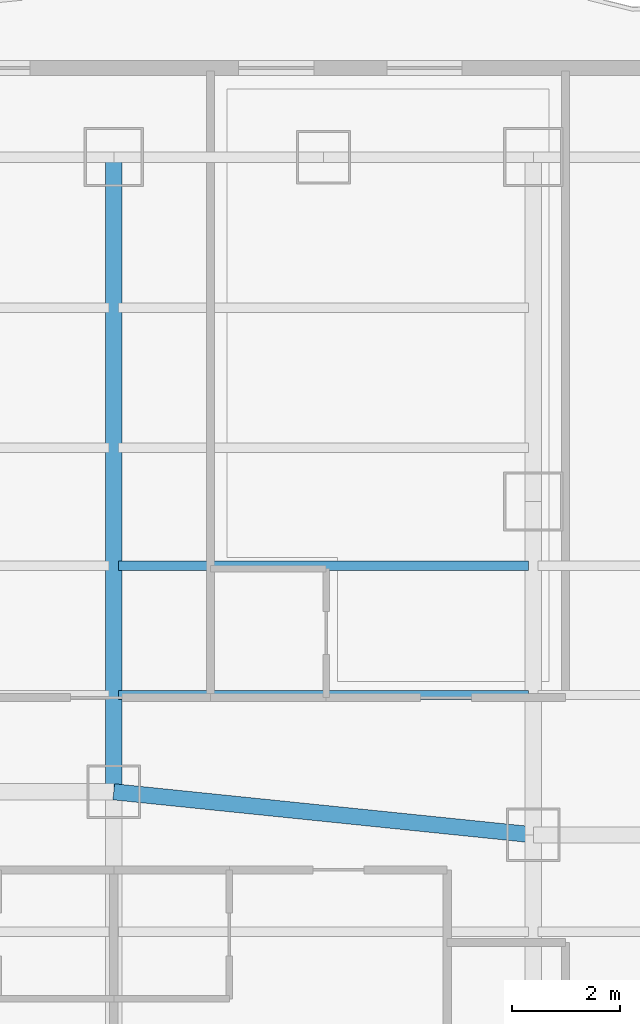
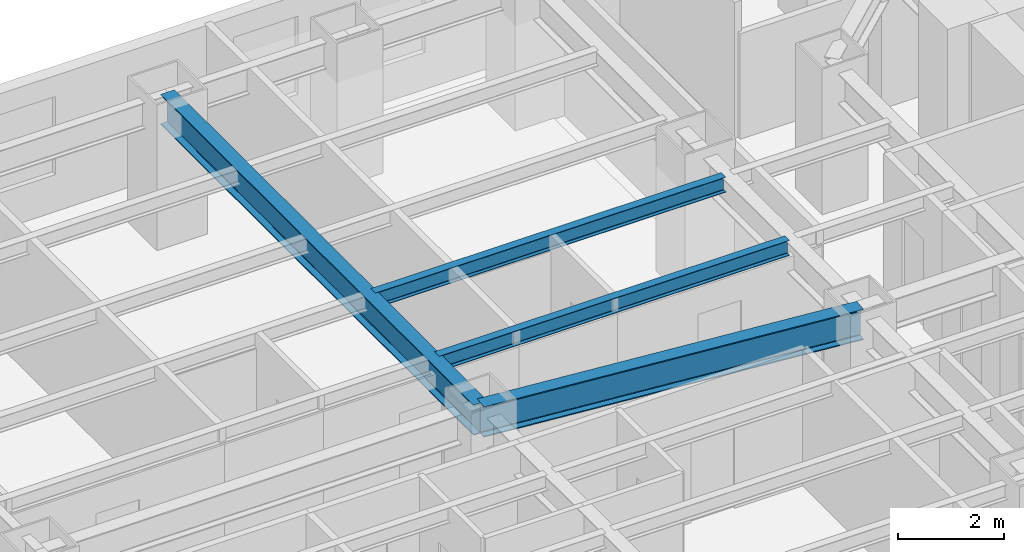
# One storey, part 15 of 37: 4 beams.
"""IFC4 building model written with IfcOpenShell, lengths in metres."""

from ifc_helpers import new_model, si_unit, direction, frame, origin, origin_2d, place, context, subcontext, project, spatial, i_section, extrude, material, material_profile, profile_set, type_object, element, save


model = new_model("IFC4")

# Units and contexts
model_context = context("Model", 3, precision=1e-05, world=origin(), true_north=direction((0.0, 1.0)))
body_context = subcontext(model_context, "Body", "Model", "MODEL_VIEW")
ifc_project = project(units=[si_unit("LENGTHUNIT", "METRE"), si_unit("AREAUNIT", "SQUARE_METRE"), si_unit("VOLUMEUNIT", "CUBIC_METRE"), si_unit("PLANEANGLEUNIT", "RADIAN"), si_unit("MASSUNIT", "GRAM", prefix="KILO")], contexts=[model_context])

# Site, building, storey
site_placement = place(None, origin())
site = spatial("IfcSite", under=ifc_project, at=site_placement, CompositionType="ELEMENT")
building_placement = place(site_placement, origin())
building = spatial("IfcBuilding", under=site, at=building_placement, Name="Hatsunagi Terrace Concourse", CompositionType="ELEMENT")
storey_placement = place(building_placement, frame((0.0, 0.0, 50.0)))
storey = spatial("IfcBuildingStorey", under=building, at=storey_placement, Name="L12", CompositionType="ELEMENT", Elevation=50.0)

# Beams
ifc_material_1 = material(Name="Steel SN490B", Category="steel")
ifc_material_profile_1 = material_profile(ifc_material_1, i_section(OverallWidth=0.300048828125, OverallDepth=0.699951171875, WebThickness=0.012939453125, FlangeThickness=0.02392578125, FilletRadius=0.02197265625, at=origin_2d()), Name="H-700x300x13x24")
ifc_profile_set_1 = profile_set([ifc_material_profile_1], Name="Steel SN490B")
beam_type_1 = type_object("IfcBeamType", Name="HotelFloorGirder_H_700x300", PredefinedType="BEAM", material=ifc_profile_set_1)
beam_1_placement = place(storey_placement, frame((11.39990234375, 36.800048828125, 2.780029296875), z_axis=(0.0, 1.0, 0.0), x_axis=(-1.0, 0.0, 0.0)))
element("IfcBeam", 1, at=beam_1_placement, inside=storey, type_object=beam_type_1, Name="Beam G-04 BM-L12-NS-11-36", PredefinedType="BEAM", context=body_context, shape_type="SweptSolid", body=[
    extrude(i_section(OverallWidth=0.300048828125, OverallDepth=0.699951171875, WebThickness=0.012939453125, FlangeThickness=0.02392578125, FilletRadius=0.02197265625, at=origin_2d()), origin(), (0.0, 0.0, 1.0), 11.800048828125),
])
beam_2_placement = place(storey_placement, frame((11.39990234375, 36.800048828125, 2.780029296875), z_axis=(0.994780871372, -0.102034395927, 0.0), x_axis=(0.102034395927, 0.994780871372, 0.0)))
element("IfcBeam", 2, at=beam_2_placement, inside=storey, type_object=beam_type_1, Name="Beam G-04 BM-L12-EW-2", PredefinedType="BEAM", context=body_context, shape_type="SweptSolid", body=[
    extrude(i_section(OverallWidth=0.300048828125, OverallDepth=0.699951171875, WebThickness=0.012939453125, FlangeThickness=0.02392578125, FilletRadius=0.02197265625, at=origin_2d()), origin(), (0.0, 0.0, 1.0), 7.841064453125),
])
ifc_material_2 = material(Name="Steel SN490B", Category="steel")
ifc_material_profile_2 = material_profile(ifc_material_2, i_section(OverallWidth=0.175048828125, OverallDepth=0.35009765625, WebThickness=0.007080078125, FlangeThickness=0.010986328125, FilletRadius=0.012939453125, at=origin_2d()), Name="H-350x175x7x11")
ifc_profile_set_2 = profile_set([ifc_material_profile_2], Name="Steel SN490B")
beam_type_2 = type_object("IfcBeamType", Name="HotelJoist_H_350x175", PredefinedType="JOIST", material=ifc_profile_set_2)
for number, where, z_axis, x_axis, name in (
    (3, (11.485107421875, 38.60009765625, 2.955078125), (1.0, 0.0, 0.0), (0.0, 1.0, 0.0), "Beam J-02 J-L12-W-11-386"),
    (4, (11.485107421875, 41.0, 2.955078125), (1.0, 0.0, 0.0), (0.0, 1.0, 0.0), "Beam J-02 J-L12-W-11-410"),
):
    element("IfcBeam", number, at=place(storey_placement, frame(where, z_axis=z_axis, x_axis=x_axis)), inside=storey, type_object=beam_type_2, Name=name, PredefinedType="JOIST", context=body_context, shape_type="SweptSolid", body=[
        extrude(i_section(OverallWidth=0.175048828125, OverallDepth=0.35009765625, WebThickness=0.007080078125, FlangeThickness=0.010986328125, FilletRadius=0.012939453125, at=origin_2d()), origin(), (0.0, 0.0, 1.0), 7.6298828125),
    ])

save(model, "model.ifc")
